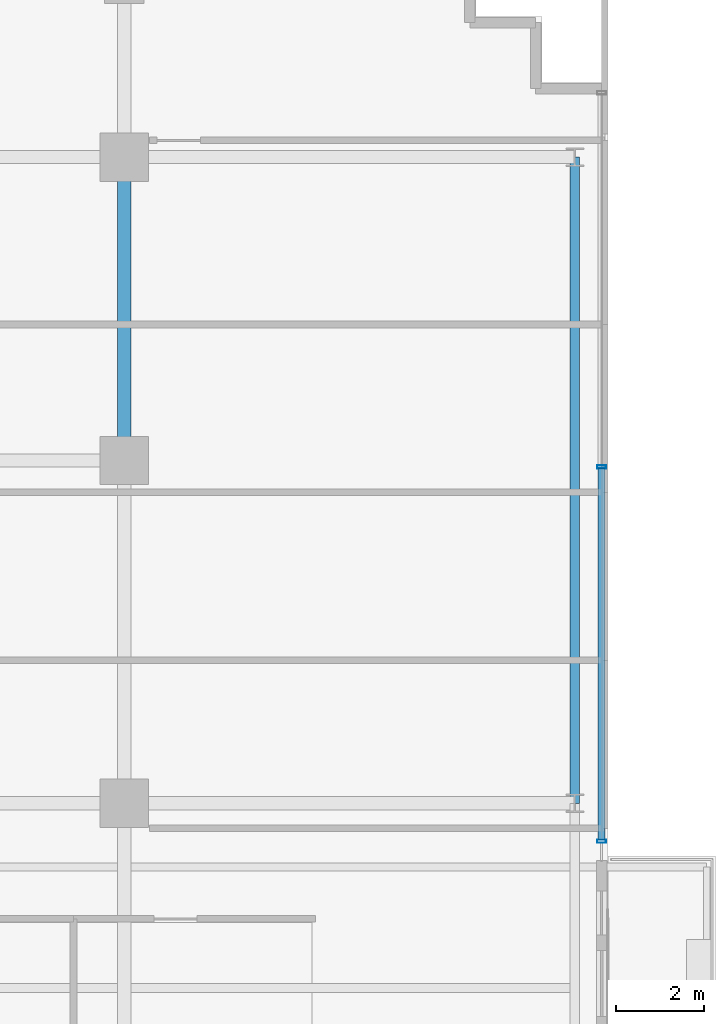
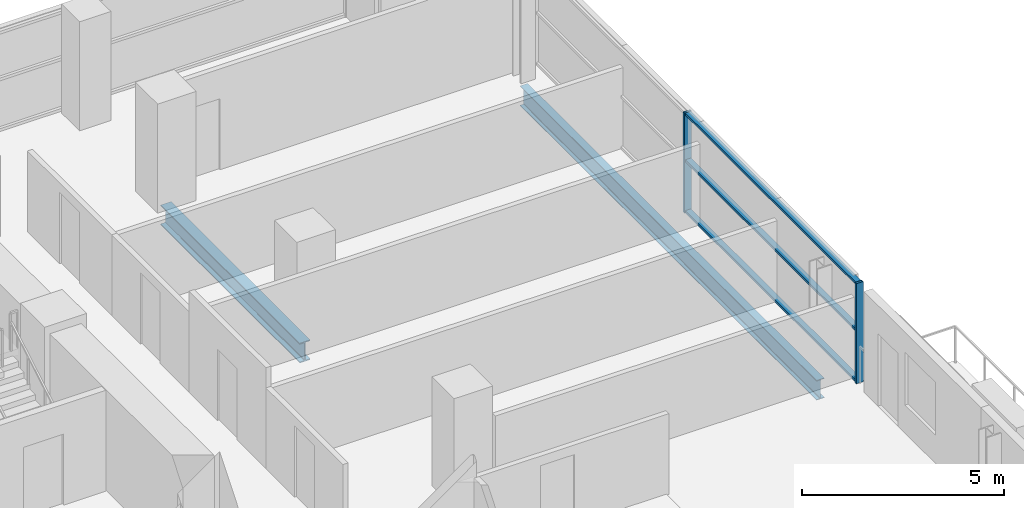
# One storey, part 11 of 27: 5 members, 2 beams, 1 element without a shape of its own.
"""IFC4 building model written with IfcOpenShell, lengths in metres."""

from ifc_helpers import new_model, si_unit, direction, frame, origin, origin_2d, place, context, subcontext, project, spatial, hollow_rectangle, i_section, extrude, source, transform, mapped, material, layer, layer_set, material_profile, profile_set, type_object, element, aggregate, save


model = new_model("IFC4")

# Units and contexts
model_context = context("Model", 3, precision=1e-05, world=origin(), true_north=direction((0.0, 1.0)))
body_context = subcontext(model_context, "Body", "Model", "MODEL_VIEW")
ifc_project = project(units=[si_unit("LENGTHUNIT", "METRE"), si_unit("AREAUNIT", "SQUARE_METRE"), si_unit("VOLUMEUNIT", "CUBIC_METRE"), si_unit("PLANEANGLEUNIT", "RADIAN"), si_unit("MASSUNIT", "GRAM", prefix="KILO")], contexts=[model_context])

# Site, building, storey
site_placement = place(None, origin())
site = spatial("IfcSite", under=ifc_project, at=site_placement, CompositionType="ELEMENT")
building_placement = place(site_placement, origin())
building = spatial("IfcBuilding", under=site, at=building_placement, Name="Zarnakvel Exchange Tower", CompositionType="ELEMENT")
storey_placement = place(building_placement, frame((0.0, 0.0, 76.89990234375)))
storey = spatial("IfcBuildingStorey", under=building, at=storey_placement, Name="L21", CompositionType="ELEMENT", Elevation=76.89990234375)

# Beams
ifc_material_1 = material(Name="Steel S355", Category="steel")
ifc_material_profile_1 = material_profile(ifc_material_1, i_section(OverallWidth=0.300048828125, OverallDepth=0.60009765625, WebThickness=0.015380859375, FlangeThickness=0.030029296875, FilletRadius=0.027099609375, at=origin_2d()))
ifc_profile_set_1 = profile_set([ifc_material_profile_1], Name="Steel S355")
beam_type_1 = type_object("IfcBeamType", Name="G-04", PredefinedType="BEAM", material=ifc_profile_set_1)
beam_1_placement = place(storey_placement, frame((21.60009765625, 6.60009765625, -0.52490234375), z_axis=(0.0, 1.0, 0.0), x_axis=(-1.0, 0.0, 0.0)))
element("IfcBeam", 1, at=beam_1_placement, inside=storey, type_object=beam_type_1, Name="L21 Tower N-S Frame Beam", PredefinedType="BEAM", context=body_context, shape_type="SweptSolid", body=[
    extrude(i_section(OverallWidth=0.300048828125, OverallDepth=0.60009765625, WebThickness=0.015380859375, FlangeThickness=0.030029296875, FilletRadius=0.027099609375, at=origin_2d()), origin(), (0.0, 0.0, 1.0), 6.89990234375),
])
ifc_material_profile_2 = material_profile(ifc_material_1, i_section(OverallWidth=0.219970703125, OverallDepth=0.60009765625, WebThickness=0.011962890625, FlangeThickness=0.01904296875, FilletRadius=0.02392578125, at=origin_2d()))
ifc_profile_set_2 = profile_set([ifc_material_profile_2], Name="Steel S355")
beam_type_2 = type_object("IfcBeamType", Name="SP-01", PredefinedType="SPANDREL", material=ifc_profile_set_2)
beam_2_placement = place(storey_placement, frame((31.85009765625, -1.199951171875, -0.52490234375), z_axis=(0.0, 1.0, 0.0), x_axis=(-1.0, 0.0, 0.0)))
element("IfcBeam", 2, at=beam_2_placement, inside=storey, type_object=beam_type_2, Name="L21 Tower N-S Frame Beam", PredefinedType="SPANDREL", context=body_context, shape_type="SweptSolid", body=[
    extrude(i_section(OverallWidth=0.219970703125, OverallDepth=0.60009765625, WebThickness=0.011962890625, FlangeThickness=0.01904296875, FilletRadius=0.02392578125, at=origin_2d()), origin(), (0.0, 0.0, 1.0), 14.699951171875),
])

# Curtain wall, members
ifc_material_2 = material(Name="Architectural Bronze Anodised Aluminium", Category="aluminium")
ifc_layer = layer(ifc_material_2, 0.199951171875)
ifc_layer_set = layer_set([ifc_layer], Name="Architectural Bronze Anodised Aluminium")
curtain_wall_type = type_object("IfcCurtainWallType", Name="CW-04", PredefinedType="NOTDEFINED", material=ifc_layer_set)
curtain_wall_placement = place(storey_placement, origin())
curtain_wall = element("IfcCurtainWall", 3, at=curtain_wall_placement, inside=storey, type_object=curtain_wall_type, Name="L21 Curtain Wall CW-L21-EN (CW-04)", PredefinedType="NOTDEFINED")
ifc_material_profile_3 = material_profile(ifc_material_2, hollow_rectangle(XDim=0.159912109375, YDim=0.074951171875, WallThickness=0.00390625, at=origin_2d()))
ifc_profile_set_3 = profile_set([ifc_material_profile_3], Name="Architectural Bronze Anodised Aluminium")
member_type_1 = type_object("IfcMemberType", Name="CWT-04", PredefinedType="USERDEFINED", material=ifc_profile_set_3)
shared_shape_1 = source(origin(), body_context, "Body", "SweptSolid", [
    extrude(hollow_rectangle(XDim=0.159912109375, YDim=0.074951171875, WallThickness=0.00390625, at=origin_2d()), origin(), (0.0, 0.0, 1.0), 8.4375),
])
member_1_placement = place(storey_placement, frame((32.4599609375, -2.02490234375, 0.03759765625), z_axis=(0.0, 1.0, 0.0), x_axis=(-1.0, 0.0, 0.0)))
member_1 = element("IfcMember", 4, at=member_1_placement, type_object=member_type_1, Name="CW-04 transom 1.1", ObjectType="TRANSOM", PredefinedType="USERDEFINED", context=body_context, shape_type="MappedRepresentation", body=[
    mapped(shared_shape_1, transform((0.0, 0.0, 0.0), x_axis=(1.0, 0.0, 0.0), y_axis=(0.0, 1.0, 0.0), z_axis=(0.0, 0.0, 1.0), scale=1.0)),
])
member_2_placement = place(storey_placement, frame((32.4599609375, -2.02490234375, 1.57568359375), z_axis=(0.0, 1.0, 0.0), x_axis=(-1.0, 0.0, 0.0)))
member_2 = element("IfcMember", 5, at=member_2_placement, type_object=member_type_1, Name="CW-04 transom 1.2", ObjectType="TRANSOM", PredefinedType="USERDEFINED", context=body_context, shape_type="MappedRepresentation", body=[
    mapped(shared_shape_1, transform((0.0, 0.0, 0.0), x_axis=(1.0, 0.0, 0.0), y_axis=(0.0, 1.0, 0.0), z_axis=(0.0, 0.0, 1.0), scale=1.0)),
])
member_3_placement = place(storey_placement, frame((32.4599609375, -2.02490234375, 2.99267578125), z_axis=(0.0, 1.0, 0.0), x_axis=(-1.0, 0.0, 0.0)))
member_3 = element("IfcMember", 6, at=member_3_placement, type_object=member_type_1, Name="CW-04 transom 1.3", ObjectType="TRANSOM", PredefinedType="USERDEFINED", context=body_context, shape_type="MappedRepresentation", body=[
    mapped(shared_shape_1, transform((0.0, 0.0, 0.0), x_axis=(1.0, 0.0, 0.0), y_axis=(0.0, 1.0, 0.0), z_axis=(0.0, 0.0, 1.0), scale=1.0)),
])
ifc_material_profile_4 = material_profile(ifc_material_2, hollow_rectangle(XDim=0.199951171875, YDim=0.074951171875, WallThickness=0.0048828125, at=origin_2d()))
ifc_profile_set_4 = profile_set([ifc_material_profile_4], Name="Architectural Bronze Anodised Aluminium")
member_type_2 = type_object("IfcMemberType", Name="CWM-04", PredefinedType="MULLION", material=ifc_profile_set_4)
shared_shape_2 = source(origin(), body_context, "Body", "SweptSolid", [
    extrude(hollow_rectangle(XDim=0.199951171875, YDim=0.074951171875, WallThickness=0.0048828125, at=origin_2d()), origin(), (0.0, 0.0, 1.0), 3.030029296875),
])
member_4_placement = place(storey_placement, frame((32.4599609375, -2.0625, 0.0), z_axis=(0.0, 0.0, 1.0), x_axis=(-1.0, 0.0, 0.0)))
member_4 = element("IfcMember", 7, at=member_4_placement, type_object=member_type_2, Name="CW-04 mullion 1", PredefinedType="MULLION", context=body_context, shape_type="MappedRepresentation", body=[
    mapped(shared_shape_2, transform((0.0, 0.0, 0.0), x_axis=(1.0, 0.0, 0.0), y_axis=(0.0, 1.0, 0.0), z_axis=(0.0, 0.0, 1.0), scale=1.0)),
])
member_5_placement = place(storey_placement, frame((32.4599609375, 6.449951171875, 0.0), z_axis=(0.0, 0.0, 1.0), x_axis=(-1.0, 0.0, 0.0)))
member_5 = element("IfcMember", 8, at=member_5_placement, type_object=member_type_2, Name="CW-04 mullion 2", PredefinedType="MULLION", context=body_context, shape_type="MappedRepresentation", body=[
    mapped(shared_shape_2, transform((0.0, 0.0, 0.0), x_axis=(1.0, 0.0, 0.0), y_axis=(0.0, 1.0, 0.0), z_axis=(0.0, 0.0, 1.0), scale=1.0)),
])
aggregate(curtain_wall, [member_4, member_5, member_1, member_2, member_3])

save(model, "model.ifc")
